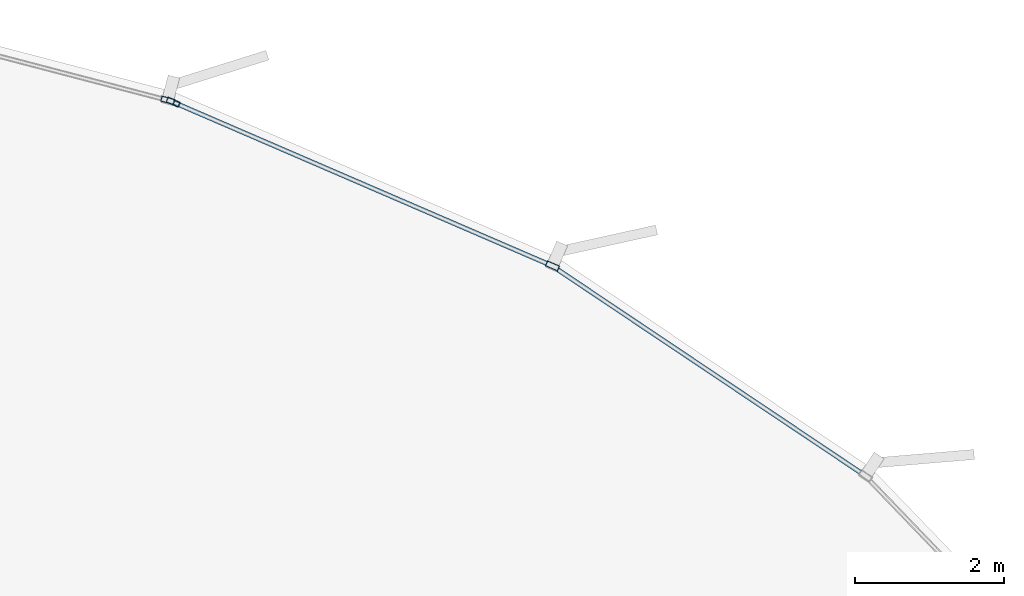
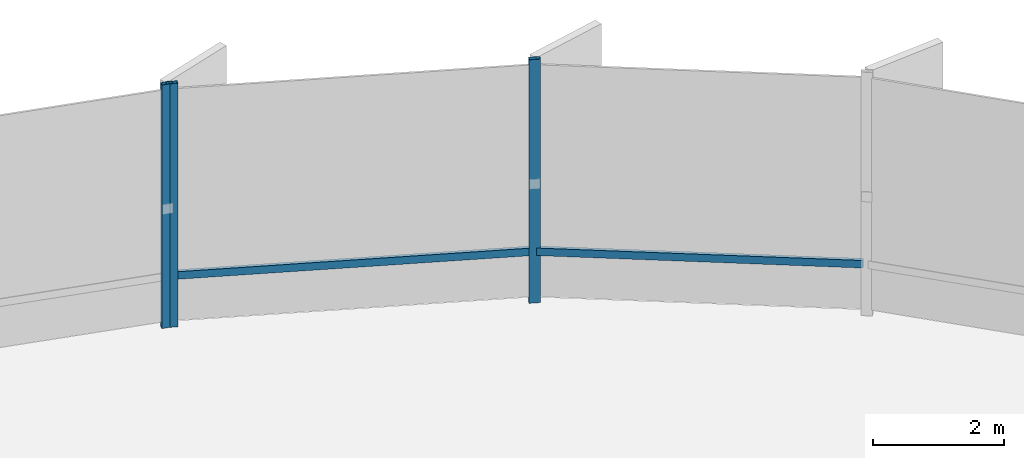
# One storey, part 22 of 34: 5 members, 2 elements without a shape of their own.
"""IFC4 building model written with IfcOpenShell, lengths in metres."""

from ifc_helpers import new_model, si_unit, direction, frame, origin, origin_2d, place, context, subcontext, project, spatial, hollow_rectangle, extrude, source, transform, mapped, material, layer, layer_set, material_profile, profile_set, type_object, element, aggregate, save


model = new_model("IFC4")

# Units and contexts
model_context = context("Model", 3, precision=1e-05, world=origin(), true_north=direction((0.0, 1.0)))
body_context = subcontext(model_context, "Body", "Model", "MODEL_VIEW")
ifc_project = project(units=[si_unit("LENGTHUNIT", "METRE"), si_unit("AREAUNIT", "SQUARE_METRE"), si_unit("VOLUMEUNIT", "CUBIC_METRE"), si_unit("PLANEANGLEUNIT", "RADIAN"), si_unit("MASSUNIT", "GRAM", prefix="KILO"), si_unit("THERMODYNAMICTEMPERATUREUNIT", "KELVIN")], contexts=[model_context])

# Site, building, storey
site_placement = place(None, origin())
site = spatial("IfcSite", under=ifc_project, at=site_placement, CompositionType="ELEMENT")
building_placement = place(site_placement, origin())
building = spatial("IfcBuilding", under=site, at=building_placement, Name="Kethvar Cultural Tower", CompositionType="ELEMENT")
storey_placement = place(building_placement, frame((0.0, 0.0, 14.800048828125)))
storey = spatial("IfcBuildingStorey", under=building, at=storey_placement, Name="L03", CompositionType="ELEMENT", Elevation=14.800048828125)

# Curtain wall, members
ifc_material = material(Name="Aluminium 6063-T6", Category="aluminium")
ifc_layer = layer(ifc_material, 0.179931640625, Name="Aluminium 6063-T6", Category="aluminium")
ifc_layer_set = layer_set([ifc_layer], Name="Aluminium 6063-T6 (180 mm)")
curtain_wall_type = type_object("IfcCurtainWallType", Name="CW-SYS-01-POD", PredefinedType="NOTDEFINED", material=ifc_layer_set)
curtain_wall_1_placement = place(storey_placement, origin())
curtain_wall_1 = element("IfcCurtainWall", 1, at=curtain_wall_1_placement, inside=storey, type_object=curtain_wall_type, Name="L03 Curtain Wall Run 01", PredefinedType="NOTDEFINED")
ifc_material_profile_1 = material_profile(ifc_material, hollow_rectangle(XDim=0.06005859375, YDim=0.139892578125, WallThickness=0.0048828125, at=origin_2d()), Name="Aluminium 6063-T6 — RHS140x60x5")
ifc_profile_set_1 = profile_set([ifc_material_profile_1], Name="Aluminium 6063-T6 — RHS140x60x5")
member_type_1 = type_object("IfcMemberType", Name="CW-SYS-01-POD-TRN", PredefinedType="USERDEFINED", material=ifc_profile_set_1)
shared_shape_1 = source(origin(), body_context, "Body", "SweptSolid", [
    extrude(hollow_rectangle(XDim=0.06005859375, YDim=0.139892578125, WallThickness=0.0048828125, at=origin_2d()), origin(), (0.0, 0.0, 1.0), 4.991455078125),
])
member_1_placement = place(storey_placement, frame((75.44580078125, 47.367919921875, 0.949951171875), z_axis=(-0.830806616573, 0.556561196867, 0.0), x_axis=(-0.556561196867, -0.830806616573, 0.0)))
member_1 = element("IfcMember", 2, at=member_1_placement, type_object=member_type_1, Name="CW-L03-R01 Transom 5", ObjectType="TRANSOM", PredefinedType="USERDEFINED", context=body_context, shape_type="MappedRepresentation", body=[
    mapped(shared_shape_1, transform((0.0, 0.0, 0.0), scale=1.0)),
])
shared_shape_2 = source(origin(), body_context, "Body", "SweptSolid", [
    extrude(hollow_rectangle(XDim=0.06005859375, YDim=0.139892578125, WallThickness=0.0048828125, at=origin_2d()), origin(), (0.0, 0.0, 1.0), 5.504638671875),
])
member_2_placement = place(storey_placement, frame((71.22509765625, 50.18603515625, 0.949951171875), z_axis=(-0.918072625283, 0.39641222825, 0.0), x_axis=(-0.39641222825, -0.918072625283, 0.0)))
member_2 = element("IfcMember", 3, at=member_2_placement, type_object=member_type_1, Name="CW-L03-R01 Transom 6", ObjectType="TRANSOM", PredefinedType="USERDEFINED", context=body_context, shape_type="MappedRepresentation", body=[
    mapped(shared_shape_2, transform((0.0, 0.0, 0.0), scale=1.0)),
])
ifc_material_profile_2 = material_profile(ifc_material, hollow_rectangle(XDim=0.074951171875, YDim=0.179931640625, WallThickness=0.006103515625, at=origin_2d()), Name="Aluminium 6063-T6 — RHS180x75x6")
ifc_profile_set_2 = profile_set([ifc_material_profile_2], Name="Aluminium 6063-T6 — RHS180x75x6")
member_type_2 = type_object("IfcMemberType", Name="CW-SYS-01-POD-MUL", PredefinedType="MULLION", material=ifc_profile_set_2)
shared_shape_3 = source(origin(), body_context, "Body", "SweptSolid", [
    extrude(hollow_rectangle(XDim=0.074951171875, YDim=0.179931640625, WallThickness=0.006103515625, at=origin_2d()), origin(), (0.0, 0.0, 1.0), 4.530029296875),
])
member_3_placement = place(storey_placement, frame((71.27490234375, 50.164794921875, 0.0), z_axis=(0.0, 0.0, 1.0), x_axis=(-0.396410942082, -0.918073180633, 0.0)))
member_3 = element("IfcMember", 4, at=member_3_placement, type_object=member_type_2, Name="CW-L03-R01 Mullion 6", PredefinedType="MULLION", context=body_context, shape_type="MappedRepresentation", body=[
    mapped(shared_shape_3, transform((0.0, 0.0, 0.0), scale=1.0)),
])
member_4_placement = place(storey_placement, frame((66.16650390625, 52.370361328125, 0.0), z_axis=(0.0, 0.0, 1.0), x_axis=(-0.396410942082, -0.918073180633, 0.0)))
member_4 = element("IfcMember", 5, at=member_4_placement, type_object=member_type_2, Name="CW-L03-R01 Mullion 7", PredefinedType="MULLION", context=body_context, shape_type="MappedRepresentation", body=[
    mapped(shared_shape_3, transform((0.0, 0.0, 0.0), scale=1.0)),
])
aggregate(curtain_wall_1, [member_3, member_4, member_1, member_2])

# Curtain wall, member
curtain_wall_2_placement = place(storey_placement, origin())
curtain_wall_2 = element("IfcCurtainWall", 6, at=curtain_wall_2_placement, inside=storey, type_object=curtain_wall_type, Name="L03 Curtain Wall Run 02", PredefinedType="NOTDEFINED")
member_5_placement = place(storey_placement, frame((66.09326171875, 52.3955078125, 0.0), z_axis=(0.0, 0.0, 1.0), x_axis=(-0.253031946887, -0.967457923558, 0.0)))
member_5 = element("IfcMember", 7, at=member_5_placement, type_object=member_type_2, Name="CW-L03-R02 Mullion 1", PredefinedType="MULLION", context=body_context, shape_type="MappedRepresentation", body=[
    mapped(shared_shape_3, transform((0.0, 0.0, 0.0), scale=1.0)),
])
aggregate(curtain_wall_2, [member_5])

save(model, "model.ifc")
